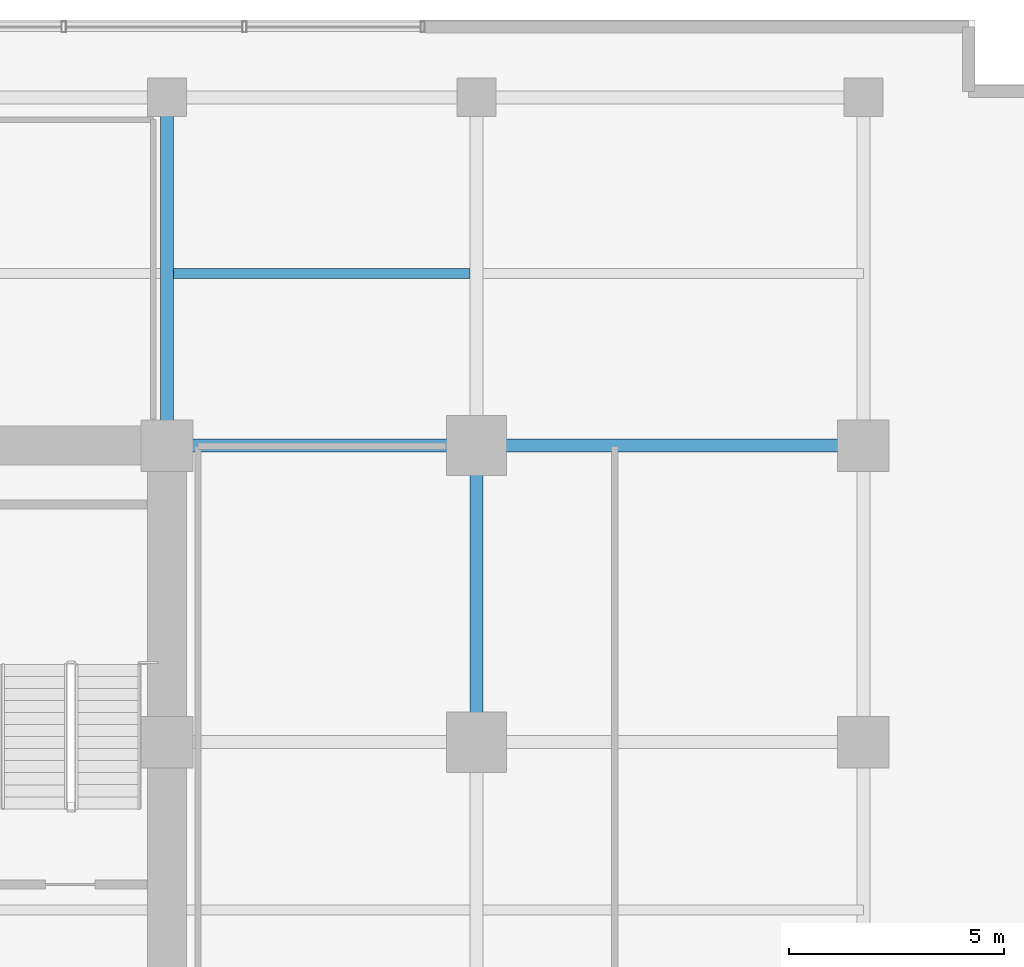
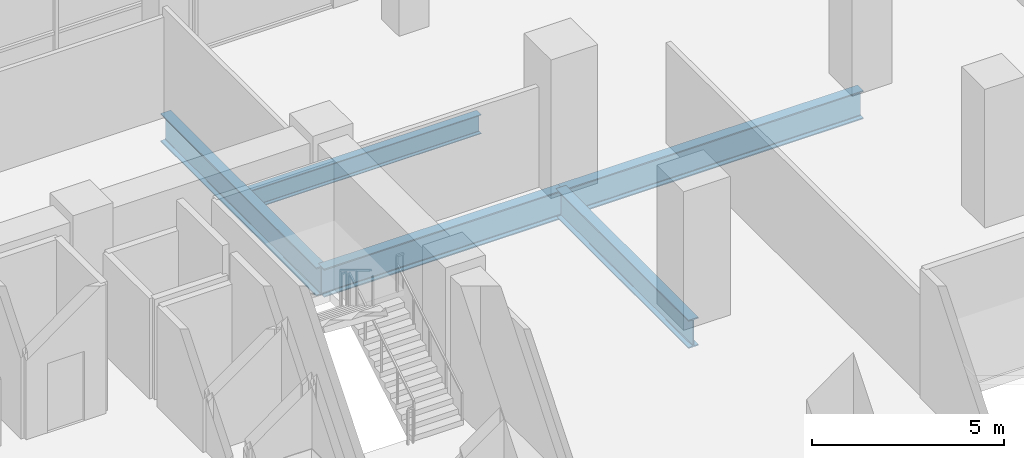
# One storey, part 11 of 21: 5 beams.
"""IFC4 building model written with IfcOpenShell, lengths in metres."""

from ifc_helpers import new_model, si_unit, direction, frame, origin, origin_2d, place, context, subcontext, project, spatial, i_section, extrude, material, material_profile, profile_set, type_object, element, save


model = new_model("IFC4")

# Units and contexts
model_context = context("Model", 3, precision=1e-05, world=origin(), true_north=direction((0.0, 1.0)))
body_context = subcontext(model_context, "Body", "Model", "MODEL_VIEW")
ifc_project = project(units=[si_unit("LENGTHUNIT", "METRE"), si_unit("AREAUNIT", "SQUARE_METRE"), si_unit("VOLUMEUNIT", "CUBIC_METRE"), si_unit("PLANEANGLEUNIT", "RADIAN"), si_unit("MASSUNIT", "GRAM", prefix="KILO")], contexts=[model_context])

# Site, building, storey
site_placement = place(None, origin())
site = spatial("IfcSite", under=ifc_project, at=site_placement, CompositionType="ELEMENT")
building_placement = place(site_placement, origin())
building = spatial("IfcBuilding", under=site, at=building_placement, Name="Zarnakvel Exchange Tower", CompositionType="ELEMENT")
storey_placement = place(building_placement, frame((0.0, 0.0, 18.199951171875)))
storey = spatial("IfcBuildingStorey", under=building, at=storey_placement, Name="L04", CompositionType="ELEMENT", Elevation=18.199951171875)

# Beams
ifc_material = material(Name="Steel S355", Category="steel")
ifc_material_profile_1 = material_profile(ifc_material, i_section(OverallWidth=0.230224609375, OverallDepth=0.6171875, WebThickness=0.01318359375, FlangeThickness=0.022216796875, FilletRadius=0.0126953125, at=origin_2d()))
ifc_profile_set_1 = profile_set([ifc_material_profile_1], Name="Steel S355")
beam_type_1 = type_object("IfcBeamType", Name="B-02", PredefinedType="JOIST", material=ifc_profile_set_1)
beam_1_placement = place(storey_placement, frame((14.550048828125, 17.5, -0.608642578125), z_axis=(1.0, 0.0, 0.0), x_axis=(0.0, 1.0, 0.0)))
element("IfcBeam", 1, at=beam_1_placement, inside=storey, type_object=beam_type_1, Name="L04 North Bay Secondary Floor Joist", PredefinedType="JOIST", context=body_context, shape_type="SweptSolid", body=[
    extrude(i_section(OverallWidth=0.230224609375, OverallDepth=0.6171875, WebThickness=0.01318359375, FlangeThickness=0.022216796875, FilletRadius=0.0126953125, at=origin_2d()), origin(), (0.0, 0.0, 1.0), 6.89990234375),
])
ifc_material_profile_2 = material_profile(ifc_material, i_section(OverallWidth=0.300048828125, OverallDepth=0.89990234375, WebThickness=0.0185546875, FlangeThickness=0.034912109375, FilletRadius=0.030029296875, at=origin_2d()))
ifc_profile_set_2 = profile_set([ifc_material_profile_2], Name="Steel S355")
beam_type_2 = type_object("IfcBeamType", Name="G-01", PredefinedType="BEAM", material=ifc_profile_set_2)
beam_2_placement = place(storey_placement, frame((14.39990234375, 13.5, -0.75), z_axis=(1.0, 0.0, 0.0), x_axis=(0.0, 1.0, 0.0)))
element("IfcBeam", 2, at=beam_2_placement, inside=storey, type_object=beam_type_2, Name="L04 Primary E-W Girder Y=+13.5", PredefinedType="BEAM", context=body_context, shape_type="SweptSolid", body=[
    extrude(i_section(OverallWidth=0.300048828125, OverallDepth=0.89990234375, WebThickness=0.0185546875, FlangeThickness=0.034912109375, FilletRadius=0.030029296875, at=origin_2d()), origin(), (0.0, 0.0, 1.0), 7.2001953125),
])
beam_3_placement = place(storey_placement, frame((21.60009765625, 13.5, -0.75), z_axis=(1.0, 0.0, 0.0), x_axis=(0.0, 1.0, 0.0)))
element("IfcBeam", 3, at=beam_3_placement, inside=storey, type_object=beam_type_2, Name="L04 Primary E-W Girder Y=+13.5", PredefinedType="BEAM", context=body_context, shape_type="SweptSolid", body=[
    extrude(i_section(OverallWidth=0.300048828125, OverallDepth=0.89990234375, WebThickness=0.0185546875, FlangeThickness=0.034912109375, FilletRadius=0.030029296875, at=origin_2d()), origin(), (0.0, 0.0, 1.0), 9.0),
])
beam_4_placement = place(storey_placement, frame((14.39990234375, 13.5, -0.75), z_axis=(0.0, 1.0, 0.0), x_axis=(-1.0, 0.0, 0.0)))
element("IfcBeam", 4, at=beam_4_placement, inside=storey, type_object=beam_type_2, Name="L04 Primary N-S Girder X=+14.4", PredefinedType="BEAM", context=body_context, shape_type="SweptSolid", body=[
    extrude(i_section(OverallWidth=0.300048828125, OverallDepth=0.89990234375, WebThickness=0.0185546875, FlangeThickness=0.034912109375, FilletRadius=0.030029296875, at=origin_2d()), origin(), (0.0, 0.0, 1.0), 8.10009765625),
])
beam_5_placement = place(storey_placement, frame((21.60009765625, 6.60009765625, -0.75), z_axis=(0.0, 1.0, 0.0), x_axis=(-1.0, 0.0, 0.0)))
element("IfcBeam", 5, at=beam_5_placement, inside=storey, type_object=beam_type_2, Name="L04 Primary N-S Girder X=+21.6", PredefinedType="BEAM", context=body_context, shape_type="SweptSolid", body=[
    extrude(i_section(OverallWidth=0.300048828125, OverallDepth=0.89990234375, WebThickness=0.0185546875, FlangeThickness=0.034912109375, FilletRadius=0.030029296875, at=origin_2d()), origin(), (0.0, 0.0, 1.0), 6.89990234375),
])

save(model, "model.ifc")
